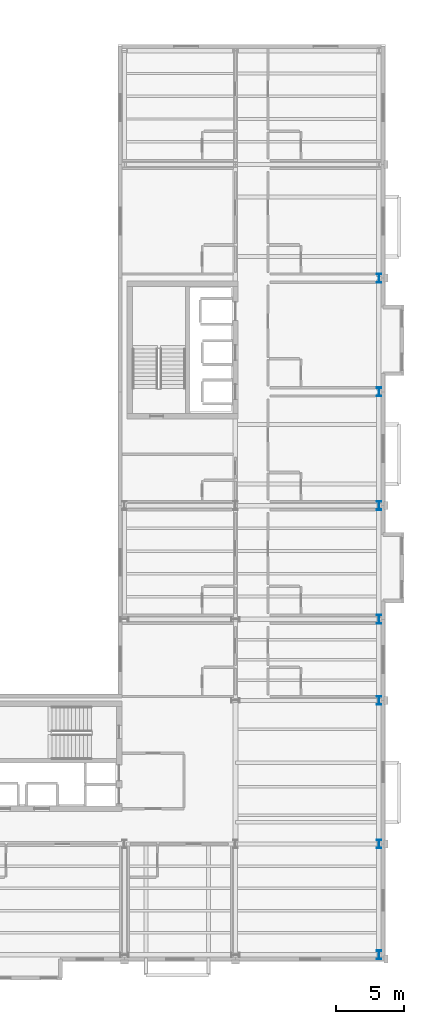
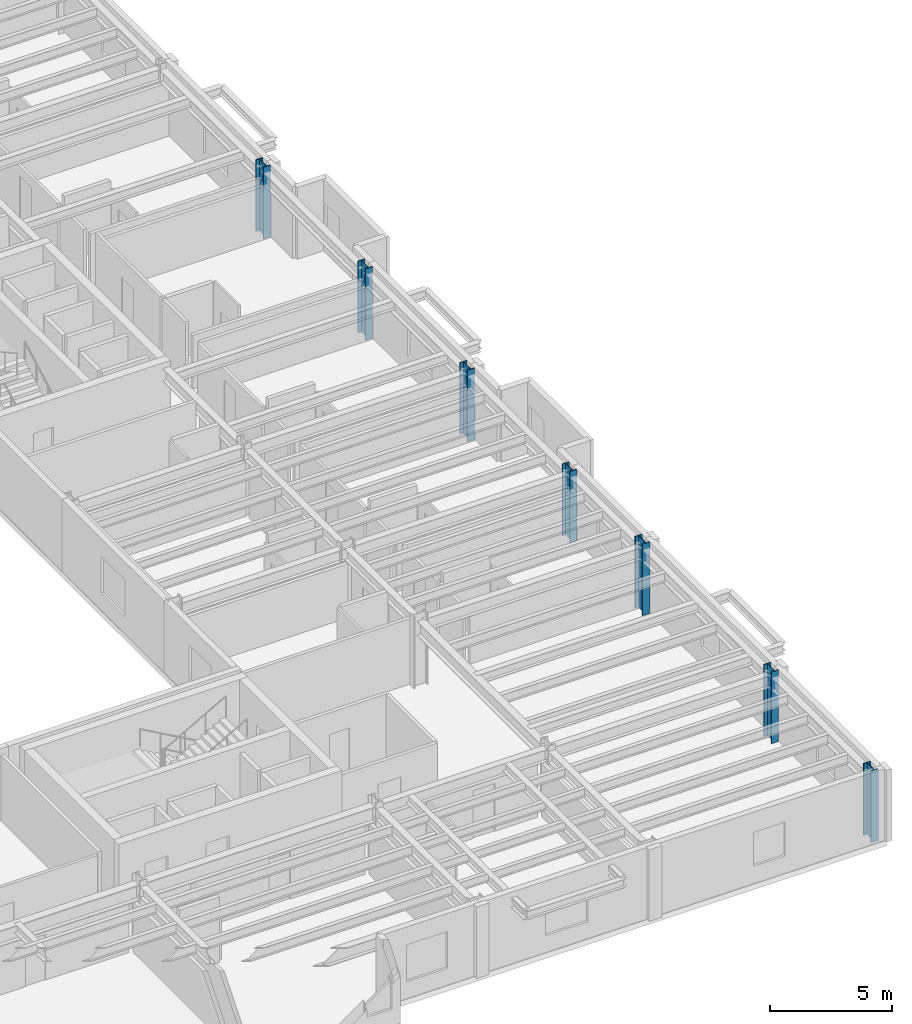
# One storey, part 5 of 27: 7 columns.
"""IFC4 building model written with IfcOpenShell, lengths in metres."""

import ifcopenshell
import ifcopenshell.guid

model = None  # the IFC model being written
_history = None  # IfcOwnerHistory: only IFC2X3 demands one
_inside = {}  # id of a spatial element -> (the spatial element, [elements in it])
_under = {}  # id of a project, library or spatial element -> (it, [spatial elements below it])
_declared = {}  # id of a project -> (the project, [libraries it declares])
_typed = {}  # id of a type object -> (the type object, [elements of that type])
_made_of = {}  # id of a material, layer set ... -> (it, [elements and type objects made of it])


def new_model(schema):
    """Start an empty IFC model of exactly this schema.

    Asked for "IFC4X3", IfcOpenShell would pick the latest addendum, in which some entities
    have other attributes; the version numbers below select the first issue.
    IFC2X3 requires an IfcOwnerHistory on every rooted entity: one is made here for all.
    """
    global model, _history
    if schema == "IFC4X3":
        model = ifcopenshell.file(schema_version=(4, 3, 0, 0))
    else:
        model = ifcopenshell.file(schema=schema)
    _inside.clear()
    _under.clear()
    _declared.clear()
    _typed.clear()
    _made_of.clear()
    _history = None
    if model.schema == "IFC2X3":
        org = make("IfcOrganization", Name="unknown")
        user = make(
            "IfcPersonAndOrganization",
            ThePerson=make("IfcPerson", FamilyName="unknown"),
            TheOrganization=org,
        )
        app = make(
            "IfcApplication",
            ApplicationDeveloper=org,
            Version="unknown",
            ApplicationFullName="unknown",
            ApplicationIdentifier="unknown",
        )
        _history = make(
            "IfcOwnerHistory",
            OwningUser=user,
            OwningApplication=app,
            ChangeAction="ADDED",
            CreationDate=0,
        )
    return model


def make(cls, **values):
    """One entity of the class cls with the attributes given. An attribute that is None is left unset."""
    return model.create_entity(
        cls, **{name: value for name, value in values.items() if value is not None}
    )


def rooted(cls, **values):
    """An entity with a GlobalId (a new one), such as an element, a storey or a relation."""
    return make(cls, GlobalId=ifcopenshell.guid.new(), OwnerHistory=_history, **values)


def si_unit(unit_type, name, prefix=None):
    """IfcSIUnit, for example si_unit("LENGTHUNIT", "METRE", prefix="MILLI")."""
    return make("IfcSIUnit", UnitType=unit_type, Prefix=prefix, Name=name)


def assignment(units):
    """IfcUnitAssignment: the units of a project."""
    return None if units is None else make("IfcUnitAssignment", Units=units)


def point(xyz):
    """IfcCartesianPoint."""
    return None if xyz is None else make("IfcCartesianPoint", Coordinates=xyz)


def direction(xyz):
    """IfcDirection."""
    return None if xyz is None else make("IfcDirection", DirectionRatios=xyz)


def frame(location, z_axis=None, x_axis=None):
    """IfcAxis2Placement3D, a coordinate frame: its origin and axes. An axis left out is left unset."""
    return make(
        "IfcAxis2Placement3D",
        Location=point(location),
        Axis=direction(z_axis),
        RefDirection=direction(x_axis),
    )


def frame_2d(location, x_axis=None):
    """IfcAxis2Placement2D, a coordinate frame in the plane: its origin and x axis."""
    return make(
        "IfcAxis2Placement2D", Location=point(location), RefDirection=direction(x_axis)
    )


def origin():
    """The frame at (0, 0, 0) with its axes left unset."""
    return frame((0.0, 0.0, 0.0))


def origin_2d():
    """The frame at (0, 0) in the plane with its x axis left unset."""
    return frame_2d((0.0, 0.0))


def place(relative_to, where):
    """IfcLocalPlacement: puts the frame where relative to a parent placement (None: the world)."""
    return make(
        "IfcLocalPlacement", PlacementRelTo=relative_to, RelativePlacement=where
    )


def context(
    kind, dimensions, precision=None, world=None, true_north=None, identifier=None
):
    """IfcGeometricRepresentationContext, for example the 3D "Model" context."""
    return make(
        "IfcGeometricRepresentationContext",
        ContextIdentifier=identifier,
        ContextType=kind,
        CoordinateSpaceDimension=dimensions,
        Precision=precision,
        WorldCoordinateSystem=world,
        TrueNorth=true_north,
    )


def subcontext(parent, identifier, kind, view, scale=None):
    """IfcGeometricRepresentationSubContext, for example "Body" below "Model"."""
    return make(
        "IfcGeometricRepresentationSubContext",
        ContextIdentifier=identifier,
        ContextType=kind,
        ParentContext=parent,
        TargetScale=scale,
        TargetView=view,
    )


def project(units=None, contexts=None):
    """IfcProject with its units and contexts."""
    return rooted(
        "IfcProject",
        Name="project",
        RepresentationContexts=contexts,
        UnitsInContext=assignment(units),
    )


def spatial(cls, under=None, at=None, **own):
    """A site, building, storey or space (cls), placed at a placement, below another one or the project."""
    s = rooted(cls, ObjectPlacement=at, **own)
    if under is not None:
        _under.setdefault(under.id(), (under, []))[1].append(s)
    return s


def profile(cls, at=None, kind="AREA", **sizes):
    """A parametric profile (cls). Its sizes go by their IFC names, for example OverallWidth=200.0."""
    return make(cls, ProfileType=kind, Position=at, **sizes)


def i_section(**sizes):
    """IfcIShapeProfileDef."""
    return profile("IfcIShapeProfileDef", **sizes)


def extrude(swept, where, along, depth):
    """IfcExtrudedAreaSolid: the profile swept, set in the frame where, extruded along a direction by depth."""
    return make(
        "IfcExtrudedAreaSolid",
        SweptArea=swept,
        Position=where,
        ExtrudedDirection=direction(along),
        Depth=depth,
    )


def shape(context_of_items, identifier, shape_type, items):
    """IfcShapeRepresentation: the items that make up one representation, for example the "Body"."""
    return make(
        "IfcShapeRepresentation",
        ContextOfItems=context_of_items,
        RepresentationIdentifier=identifier,
        RepresentationType=shape_type,
        Items=items,
    )


def material(Name=None, Category=None):
    """IfcMaterial."""
    return make("IfcMaterial", Name=Name, Category=Category)


def material_profile(
    of_material, cross_section, Name=None, Category=None, Priority=None
):
    """IfcMaterialProfile: a cross section and its material."""
    return make(
        "IfcMaterialProfile",
        Name=Name,
        Material=of_material,
        Profile=cross_section,
        Priority=Priority,
        Category=Category,
    )


def profile_set(profiles, Name=None, composite=None):
    """IfcMaterialProfileSet."""
    return make(
        "IfcMaterialProfileSet",
        Name=Name,
        MaterialProfiles=profiles,
        CompositeProfile=composite,
    )


def made_of(thing, what):
    """Note that an element or type object is made of a material, layer set ...; save() writes the relation."""
    if what is not None:
        _made_of.setdefault(what.id(), (what, []))[1].append(thing)
    return thing


def type_object(cls, material=None, **own):
    """A type object (cls), such as IfcWallType, which elements share."""
    return made_of(rooted(cls, **own), material)


def element(
    cls,
    number,
    at=None,
    inside=None,
    cuts=None,
    type_object=None,
    material=None,
    context=None,
    identifier="Body",
    shape_type=None,
    held_by="IfcProductDefinitionShape",
    body=None,
    shapes=None,
    **own,
):
    """One element of the class cls, such as IfcWall. Its Tag is "e" and its number.

    at: its placement. inside: the storey or other place that contains it. cuts: it is an
    opening in that element (IfcRelVoidsElement). A single representation is given by context,
    identifier, shape_type and body (its items); several are given by shapes. held_by: the class
    of the entity that holds the representations. save() writes the other relations.
    """
    e = rooted(cls, Tag="e%d" % number, ObjectPlacement=at, **own)
    if body is not None:
        shapes = [shape(context, identifier, shape_type, body)]
    if shapes is not None:
        e.Representation = make(held_by, Representations=shapes)
    if inside is not None:
        _inside.setdefault(inside.id(), (inside, []))[1].append(e)
    if cuts is not None:
        rooted(
            "IfcRelVoidsElement", RelatingBuildingElement=cuts, RelatedOpeningElement=e
        )
    if type_object is not None:
        _typed.setdefault(type_object.id(), (type_object, []))[1].append(e)
    return made_of(e, material)


def aggregate(whole, parts):
    """IfcRelAggregates: a whole, such as a stair, and the parts it consists of."""
    return rooted("IfcRelAggregates", RelatingObject=whole, RelatedObjects=parts)


def save(model, path):
    """Write the relations noted so far, then the file.

    IfcRelAggregates (storeys below a building ...), IfcRelContainedInSpatialStructure (elements
    in a storey), IfcRelDefinesByType, IfcRelAssociatesMaterial and IfcRelDeclares: one each for
    every whole, place, type object, material and project.
    """
    for whole, parts in _under.values():
        aggregate(whole, parts)
    for where, things in _inside.values():
        rooted(
            "IfcRelContainedInSpatialStructure",
            RelatedElements=things,
            RelatingStructure=where,
        )
    for kind, things in _typed.values():
        rooted("IfcRelDefinesByType", RelatedObjects=things, RelatingType=kind)
    for what, things in _made_of.values():
        rooted("IfcRelAssociatesMaterial", RelatedObjects=things, RelatingMaterial=what)
    for by, libraries in _declared.values():
        rooted("IfcRelDeclares", RelatingContext=by, RelatedDefinitions=libraries)
    model.write(path)


model = new_model("IFC4")

# Units and contexts
model_context = context("Model", 3, precision=1e-05, world=origin(), true_north=direction((0.0, 1.0)))
body_context = subcontext(model_context, "Body", "Model", "MODEL_VIEW")
ifc_project = project(units=[si_unit("LENGTHUNIT", "METRE"), si_unit("AREAUNIT", "SQUARE_METRE"), si_unit("VOLUMEUNIT", "CUBIC_METRE"), si_unit("PLANEANGLEUNIT", "RADIAN"), si_unit("MASSUNIT", "GRAM", prefix="KILO")], contexts=[model_context])

# Site, building, storey
site_placement = place(None, origin())
site = spatial("IfcSite", under=ifc_project, at=site_placement, CompositionType="ELEMENT")
building_placement = place(site_placement, origin())
building = spatial("IfcBuilding", under=site, at=building_placement, Name="Sollismere Congress Hotel", CompositionType="ELEMENT")
storey_placement = place(building_placement, frame((0.0, 0.0, 27.0)))
storey = spatial("IfcBuildingStorey", under=building, at=storey_placement, Name="L06", CompositionType="ELEMENT", Elevation=27.0)

# Columns
ifc_material = material(Name="Steel ASTM A992 Grade 50", Category="steel")
ifc_material_profile = material_profile(ifc_material, i_section(OverallWidth=0.3330078125, OverallDepth=0.659912109375, WebThickness=0.0244140625, FlangeThickness=0.0439453125, at=origin_2d()), Name="W24X229")
ifc_profile_set = profile_set([ifc_material_profile], Name="Steel ASTM A992 Grade 50")
column_type = type_object("IfcColumnType", Name="COL-W24", PredefinedType="COLUMN", material=ifc_profile_set)
for number, where, z_axis, x_axis, name in (
    (1, (166.0, 0.0, 0.0), (0.0, 0.0, 1.0), (1.0, 0.0, 0.0), "Column CL-L06-950"),
    (2, (166.0, 8.199951171875, 0.0), (0.0, 0.0, 1.0), (1.0, 0.0, 0.0), "Column CL-L06-963"),
    (3, (166.0, 18.800048828125, 0.0), (0.0, 0.0, 1.0), (1.0, 0.0, 0.0), "Column CL-L06-976"),
    (4, (166.0, 24.800048828125, 0.0), (0.0, 0.0, 1.0), (1.0, 0.0, 0.0), "Column CL-L06-989"),
    (5, (166.0, 33.199951171875, 0.0), (0.0, 0.0, 1.0), (1.0, 0.0, 0.0), "Column CL-L06-1002"),
    (6, (166.0, 41.60009765625, 0.0), (0.0, 0.0, 1.0), (1.0, 0.0, 0.0), "Column CL-L06-1015"),
    (7, (166.0, 50.0, 0.0), (0.0, 0.0, 1.0), (1.0, 0.0, 0.0), "Column CL-L06-1028"),
):
    element("IfcColumn", number, at=place(storey_placement, frame(where, z_axis=z_axis, x_axis=x_axis)), inside=storey, type_object=column_type, Name=name, PredefinedType="COLUMN", context=body_context, shape_type="SweptSolid", body=[
        extrude(i_section(OverallWidth=0.3330078125, OverallDepth=0.659912109375, WebThickness=0.0244140625, FlangeThickness=0.0439453125, at=origin_2d()), origin(), (0.0, 0.0, 1.0), 3.60009765625),
    ])

save(model, "model.ifc")
